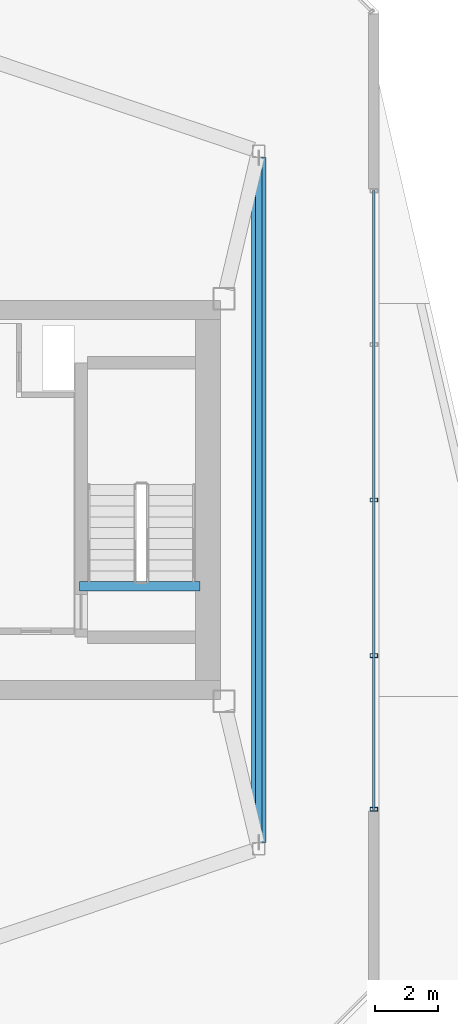
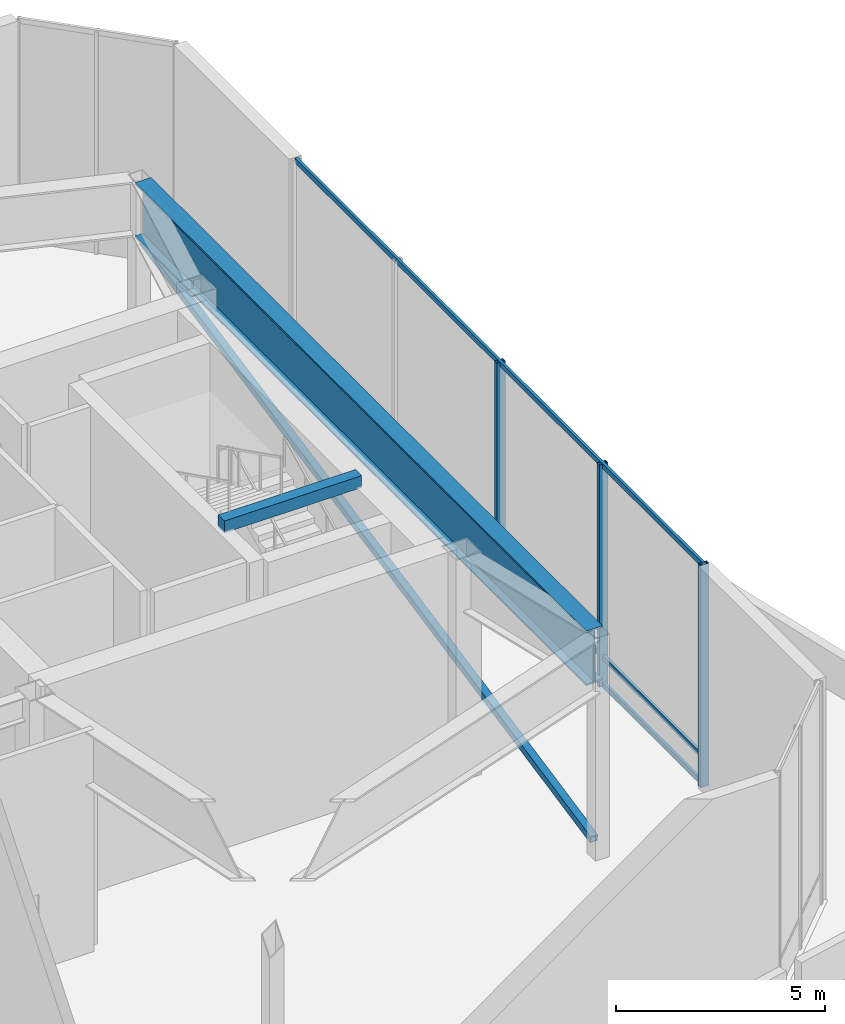
# One storey, part 11 of 25: 7 members, 2 beams, 1 element without a shape of its own.
"""IFC4 building model written with IfcOpenShell, lengths in metres."""

from ifc_helpers import new_model, si_unit, direction, frame, origin, origin_2d, place, context, subcontext, project, spatial, rectangle, hollow_rectangle, i_section, extrude, material, layer, layer_set, material_profile, profile_set, type_object, element, aggregate, save


model = new_model("IFC4")

# Units and contexts
model_context = context("Model", 3, precision=1e-05, world=origin(), true_north=direction((0.0, 1.0)))
body_context = subcontext(model_context, "Body", "Model", "MODEL_VIEW")
ifc_project = project(units=[si_unit("LENGTHUNIT", "METRE"), si_unit("AREAUNIT", "SQUARE_METRE"), si_unit("VOLUMEUNIT", "CUBIC_METRE"), si_unit("PLANEANGLEUNIT", "RADIAN"), si_unit("MASSUNIT", "GRAM", prefix="KILO")], contexts=[model_context])

# Site, building, storey
site_placement = place(None, origin())
site = spatial("IfcSite", under=ifc_project, at=site_placement, CompositionType="ELEMENT")
building_placement = place(site_placement, origin())
building = spatial("IfcBuilding", under=site, at=building_placement, Name="Tavrogorsk Clinical Tower", CompositionType="ELEMENT")
storey_placement = place(building_placement, frame((0.0, 0.0, 333.0)))
storey = spatial("IfcBuildingStorey", under=building, at=storey_placement, Name="L78", CompositionType="ELEMENT", Elevation=333.0)

# Member
ifc_material_1 = material(Name="Structural steel S355", Category="steel")
ifc_material_profile_1 = material_profile(ifc_material_1, hollow_rectangle(XDim=0.199951171875, YDim=0.199951171875, WallThickness=0.010009765625, at=origin_2d()), Name="SHS-200x200x10")
ifc_profile_set_1 = profile_set([ifc_material_profile_1], Name="Structural steel S355")
member_type_1 = type_object("IfcMemberType", Name="CrownBrace_SHS200", PredefinedType="BRACE", material=ifc_profile_set_1)
member_1_placement = place(storey_placement, frame((23.199951171875, -10.794189453125, 0.342041015625), z_axis=(0.0, 0.979715228906, 0.200394785982), x_axis=(-1.0, 0.0, 0.0)))
element("IfcMember", 1, at=member_1_placement, inside=storey, type_object=member_type_1, Name="L78 Crown Drum Brace 2", PredefinedType="BRACE", context=body_context, shape_type="SweptSolid", body=[
    extrude(hollow_rectangle(XDim=0.199951171875, YDim=0.199951171875, WallThickness=0.010009765625, at=origin_2d()), origin(), (0.0, 0.0, 1.0), 22.035400390625),
])

# Curtain wall, members
ifc_material_2 = material(Name="Anodised aluminium and triple IGU glazing", Category="aluminium")
ifc_layer = layer(ifc_material_2, 0.179931640625)
ifc_layer_set = layer_set([ifc_layer], Name="Anodised aluminium and triple IGU glazing")
curtain_wall_type = type_object("IfcCurtainWallType", Name="CW6_TmdLantern", PredefinedType="NOTDEFINED", material=ifc_layer_set)
curtain_wall_placement = place(storey_placement, origin())
curtain_wall = element("IfcCurtainWall", 2, at=curtain_wall_placement, inside=storey, type_object=curtain_wall_type, Name="L78 Curtain Wall CW-L78-TMD-6", PredefinedType="NOTDEFINED")
ifc_material_3 = material(Name="Anodised aluminium alloy AW-6060", Category="aluminium")
ifc_material_profile_2 = material_profile(ifc_material_3, hollow_rectangle(XDim=0.1201171875, YDim=0.239990234375, WallThickness=0.008056640625, at=origin_2d()), Name="RHS-240x120x8")
ifc_profile_set_2 = profile_set([ifc_material_profile_2], Name="Anodised aluminium alloy AW-6060")
member_type_2 = type_object("IfcMemberType", Name="CwMullion_240x120", PredefinedType="MULLION", material=ifc_profile_set_2)
member_2_placement = place(storey_placement, frame((26.830078125, -0.00048828125, 0.0), z_axis=(0.0, 0.0, 1.0), x_axis=(0.0, -1.0, 0.0)))
member_2 = element("IfcMember", 3, at=member_2_placement, type_object=member_type_2, Name="CW-L78-TMD-6 Mullion 3", PredefinedType="MULLION", context=body_context, shape_type="SweptSolid", body=[
    extrude(hollow_rectangle(XDim=0.1201171875, YDim=0.239990234375, WallThickness=0.008056640625, at=origin_2d()), origin(), (0.0, 0.0, 1.0), 6.5),
])
member_3_placement = place(storey_placement, frame((26.830078125, -4.907958984375, 0.0), z_axis=(0.0, 0.0, 1.0), x_axis=(0.0, -1.0, 0.0)))
member_3 = element("IfcMember", 4, at=member_3_placement, type_object=member_type_2, Name="CW-L78-TMD-6 Mullion 4", PredefinedType="MULLION", context=body_context, shape_type="SweptSolid", body=[
    extrude(hollow_rectangle(XDim=0.1201171875, YDim=0.239990234375, WallThickness=0.008056640625, at=origin_2d()), origin(), (0.0, 0.0, 1.0), 6.5),
])
member_4_placement = place(storey_placement, frame((26.830078125, -9.75537109375, 0.0), z_axis=(0.0, 0.0, 1.0), x_axis=(0.0, -1.0, 0.0)))
member_4 = element("IfcMember", 5, at=member_4_placement, type_object=member_type_2, Name="CW-L78-TMD-6 Mullion 5", PredefinedType="MULLION", context=body_context, shape_type="SweptSolid", body=[
    extrude(hollow_rectangle(XDim=0.1201171875, YDim=0.239990234375, WallThickness=0.008056640625, at=origin_2d()), origin(), (0.0, 0.0, 1.0), 6.5),
])
ifc_material_4 = material(Name="Anodised aluminium alloy AW-6060", Category="aluminium")
ifc_material_profile_3 = material_profile(ifc_material_4, hollow_rectangle(XDim=0.074951171875, YDim=0.14990234375, WallThickness=0.0048828125, at=origin_2d()), Name="RHS-150x75x5")
ifc_profile_set_3 = profile_set([ifc_material_profile_3], Name="Anodised aluminium alloy AW-6060")
member_type_3 = type_object("IfcMemberType", Name="CwTransom_150x75", PredefinedType="USERDEFINED", material=ifc_profile_set_3)
member_5_placement = place(storey_placement, frame((26.830078125, 9.754638671875, 0.050048828125), z_axis=(0.0, -1.0, 0.0), x_axis=(1.0, 0.0, 0.0)))
member_5 = element("IfcMember", 6, at=member_5_placement, type_object=member_type_3, Name="CW-L78-TMD-6 Transom 1", ObjectType="TRANSOM", PredefinedType="USERDEFINED", context=body_context, shape_type="SweptSolid", body=[
    extrude(hollow_rectangle(XDim=0.074951171875, YDim=0.14990234375, WallThickness=0.0048828125, at=origin_2d()), origin(), (0.0, 0.0, 1.0), 19.510009765625),
])
member_6_placement = place(storey_placement, frame((26.830078125, 9.754638671875, 0.85009765625), z_axis=(0.0, -1.0, 0.0), x_axis=(1.0, 0.0, 0.0)))
member_6 = element("IfcMember", 7, at=member_6_placement, type_object=member_type_3, Name="CW-L78-TMD-6 Transom 2", ObjectType="TRANSOM", PredefinedType="USERDEFINED", context=body_context, shape_type="SweptSolid", body=[
    extrude(hollow_rectangle(XDim=0.074951171875, YDim=0.14990234375, WallThickness=0.0048828125, at=origin_2d()), origin(), (0.0, 0.0, 1.0), 19.510009765625),
])
member_7_placement = place(storey_placement, frame((26.830078125, 9.754638671875, 6.449951171875), z_axis=(0.0, -1.0, 0.0), x_axis=(1.0, 0.0, 0.0)))
member_7 = element("IfcMember", 8, at=member_7_placement, type_object=member_type_3, Name="CW-L78-TMD-6 Transom 3", ObjectType="TRANSOM", PredefinedType="USERDEFINED", context=body_context, shape_type="SweptSolid", body=[
    extrude(hollow_rectangle(XDim=0.074951171875, YDim=0.14990234375, WallThickness=0.0048828125, at=origin_2d()), origin(), (0.0, 0.0, 1.0), 19.510009765625),
])
aggregate(curtain_wall, [member_2, member_3, member_4, member_5, member_6, member_7])

# Beams
ifc_material_5 = material(Name="Concrete B60", Category="concrete")
ifc_material_profile_4 = material_profile(ifc_material_5, rectangle(XDim=0.300048828125, YDim=0.35009765625, at=origin_2d()), Name="RC-SHB-300x350")
ifc_profile_set_4 = profile_set([ifc_material_profile_4], Name="Concrete B60")
beam_type_1 = type_object("IfcBeamType", Name="StairHeaderBeam_RC300x350", PredefinedType="BEAM", material=ifc_profile_set_4)
beam_1_placement = place(storey_placement, frame((17.550048828125, -2.719970703125, 6.625), z_axis=(1.0, 0.0, 0.0), x_axis=(0.0, 1.0, 0.0)))
element("IfcBeam", 9, at=beam_1_placement, inside=storey, type_object=beam_type_1, Name="L79 ST-E Landing Header Beam", PredefinedType="BEAM", context=body_context, shape_type="SweptSolid", body=[
    extrude(rectangle(XDim=0.300048828125, YDim=0.35009765625, at=origin_2d()), origin(), (0.0, 0.0, 1.0), 3.800048828125),
])
ifc_material_6 = material(Name="Structural steel S440", Category="steel")
ifc_material_profile_5 = material_profile(ifc_material_6, i_section(OverallWidth=0.449951171875, OverallDepth=1.60009765625, WebThickness=0.031982421875, FlangeThickness=0.050048828125, at=origin_2d()), Name="DK-1600x450x32x50")
ifc_profile_set_5 = profile_set([ifc_material_profile_5], Name="Structural steel S440")
beam_type_2 = type_object("IfcBeamType", Name="TransferGirder_DK1600", PredefinedType="USERDEFINED", material=ifc_profile_set_5)
beam_2_placement = place(storey_placement, frame((23.199951171875, -10.81005859375, 5.699951171875), z_axis=(0.0, 1.0, 0.0), x_axis=(-1.0, 0.0, 0.0)))
element("IfcBeam", 10, at=beam_2_placement, inside=storey, type_object=beam_type_2, Name="L78 Crown Spandrel Beam 04", ObjectType="GIRDER", PredefinedType="USERDEFINED", context=body_context, shape_type="SweptSolid", body=[
    extrude(i_section(OverallWidth=0.449951171875, OverallDepth=1.60009765625, WebThickness=0.031982421875, FlangeThickness=0.050048828125, at=origin_2d()), origin(), (0.0, 0.0, 1.0), 21.6201171875),
])

save(model, "model.ifc")
